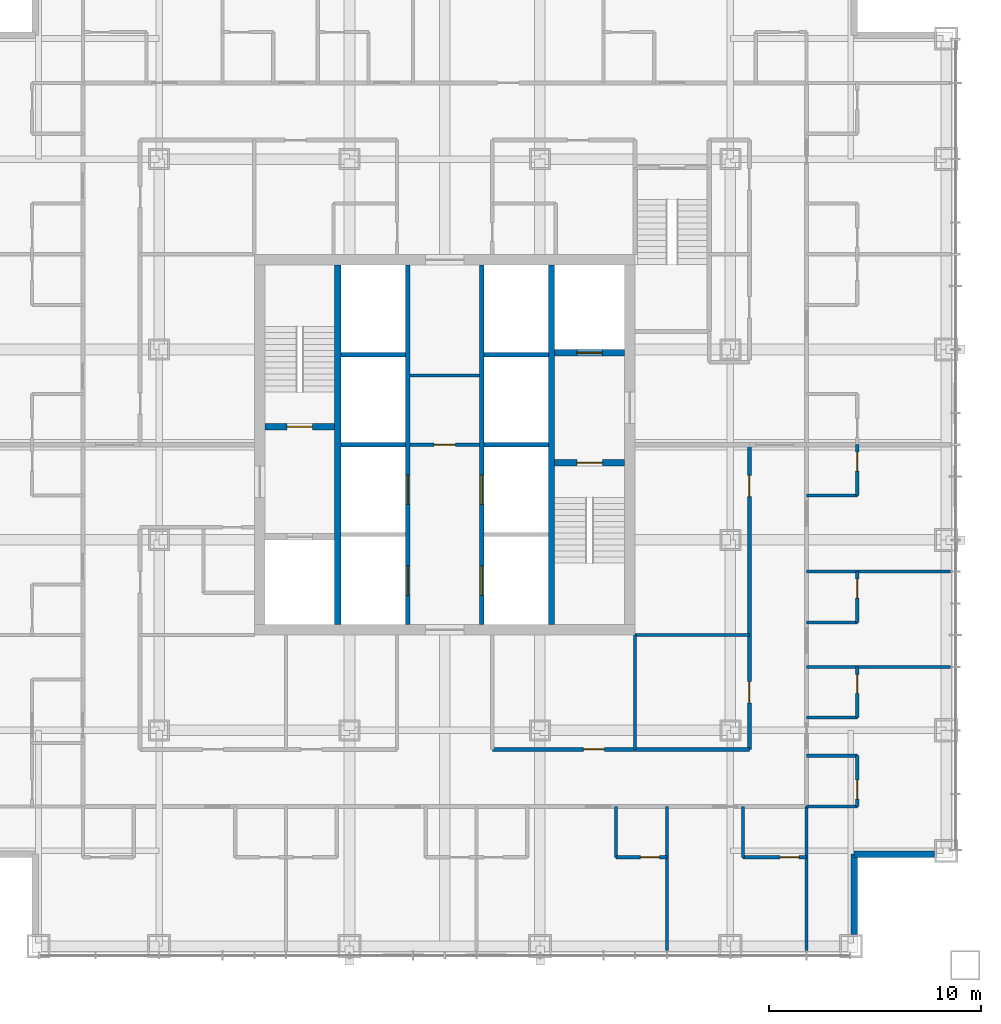
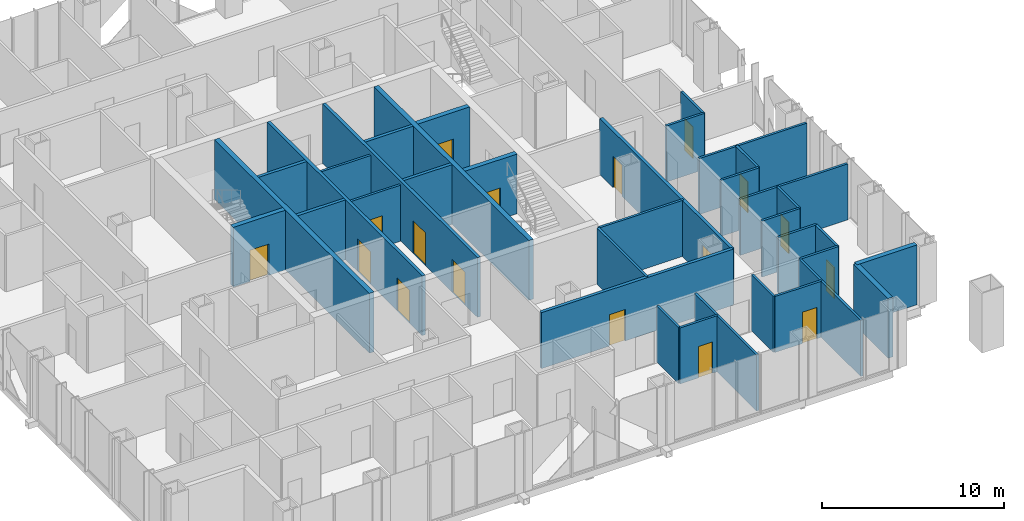
# One storey, part 10 of 16: 36 walls, 17 doors, 17 openings.
"""IFC4 building model written with IfcOpenShell, lengths in metres."""

from ifc_helpers import new_model, si_unit, direction, frame, frame_2d, origin, place, context, subcontext, project, spatial, rectangle, extrude, material, layer, layer_set, type_object, element, fill, save


model = new_model("IFC4")

# Units and contexts
model_context = context("Model", 3, precision=1e-05, world=origin(), true_north=direction((0.0, 1.0)))
body_context = subcontext(model_context, "Body", "Model", "MODEL_VIEW")
ifc_project = project(units=[si_unit("LENGTHUNIT", "METRE"), si_unit("AREAUNIT", "SQUARE_METRE"), si_unit("VOLUMEUNIT", "CUBIC_METRE"), si_unit("PLANEANGLEUNIT", "RADIAN"), si_unit("MASSUNIT", "GRAM", prefix="KILO")], contexts=[model_context])

# Site, building, storey
site_placement = place(None, origin())
site = spatial("IfcSite", under=ifc_project, at=site_placement, CompositionType="ELEMENT")
building_placement = place(site_placement, origin())
building = spatial("IfcBuilding", under=site, at=building_placement, Name="Malebo Sky Hospital", CompositionType="ELEMENT")
storey_placement = place(building_placement, frame((0.0, 0.0, 116.0)))
storey = spatial("IfcBuildingStorey", under=building, at=storey_placement, Name="L27", CompositionType="ELEMENT", Elevation=116.0)

# Wall, openings, doors
ifc_material_1 = material(Name="Concrete C80/95", Category="concrete")
ifc_layer_1 = layer(ifc_material_1, 0.199951171875)
ifc_layer_set_1 = layer_set([ifc_layer_1], Name="CORE INNER WALL 200")
wall_type_1 = type_object("IfcWallType", Name="CORE INNER WALL 200", PredefinedType="SHEAR", material=ifc_layer_set_1)
wall_1_placement = place(storey_placement, frame((58.25, 53.5, 0.0), z_axis=(0.0, 0.0, 1.0), x_axis=(0.0, 1.0, 0.0)))
wall_1 = element("IfcWall", 1, at=wall_1_placement, inside=storey, type_object=wall_type_1, Name="Core wall LW L27", PredefinedType="SHEAR", context=body_context, shape_type="SweptSolid", body=[
    extrude(rectangle(XDim=17.0, YDim=0.199951171875, at=frame_2d((8.5, 0.0))), origin(), (0.0, 0.0, 1.0), 4.0),
])
opening_1_placement = place(wall_1_placement, frame((1.375, 0.0, 0.0)))
opening_1 = element("IfcOpeningElement", 2, at=opening_1_placement, cuts=wall_1, Name="Opening LD1", PredefinedType="OPENING", context=body_context, shape_type="SweptSolid", body=[
    extrude(rectangle(XDim=1.39990234375, YDim=2.199951171875, at=frame_2d((0.699951171875, 1.10009765625))), frame((0.0, 0.10986328125, 0.0), z_axis=(0.0, -1.0, 0.0), x_axis=(1.0, 0.0, 0.0)), (0.0, 0.0, 1.0), 0.219970703125),
])
opening_2_placement = place(wall_1_placement, frame((5.675048828125, 0.0, 0.0)))
opening_2 = element("IfcOpeningElement", 3, at=opening_2_placement, cuts=wall_1, Name="Opening LD1", PredefinedType="OPENING", context=body_context, shape_type="SweptSolid", body=[
    extrude(rectangle(XDim=1.39990234375, YDim=2.199951171875, at=frame_2d((0.699951171875, 1.10009765625))), frame((0.0, 0.10986328125, 0.0), z_axis=(0.0, -1.0, 0.0), x_axis=(1.0, 0.0, 0.0)), (0.0, 0.0, 1.0), 0.219970703125),
])
ifc_material_2 = material(Name="Stainless steel sliding landing door", Category="steel")
door_type_1 = type_object("IfcDoorType", Name="LIFT LANDING DOOR 1400", OperationType="SLIDING_TO_LEFT", PredefinedType="DOOR", material=ifc_material_2)
door_1_placement = place(opening_1_placement, origin())
door_1 = element("IfcDoor", 4, at=door_1_placement, inside=storey, type_object=door_type_1, Name="Lift W1 landing door", OperationType="SLIDING_TO_LEFT", OverallHeight=2.199951171875, OverallWidth=1.39990234375, PredefinedType="DOOR", context=body_context, shape_type="SweptSolid", body=[
    extrude(rectangle(XDim=1.39990234375, YDim=2.199951171875, at=frame_2d((0.699951171875, 1.10009765625))), frame((0.0, 0.02490234375, 0.0), z_axis=(0.0, -1.0, 0.0), x_axis=(1.0, 0.0, 0.0)), (0.0, 0.0, 1.0), 0.050048828125),
])
fill(opening_1, door_1)
door_2_placement = place(opening_2_placement, origin())
door_2 = element("IfcDoor", 5, at=door_2_placement, inside=storey, type_object=door_type_1, Name="Lift W2 landing door", OperationType="SLIDING_TO_LEFT", OverallHeight=2.199951171875, OverallWidth=1.39990234375, PredefinedType="DOOR", context=body_context, shape_type="SweptSolid", body=[
    extrude(rectangle(XDim=1.39990234375, YDim=2.199951171875, at=frame_2d((0.699951171875, 1.10009765625))), frame((0.0, 0.02490234375, 0.0), z_axis=(0.0, -1.0, 0.0), x_axis=(1.0, 0.0, 0.0)), (0.0, 0.0, 1.0), 0.050048828125),
])
fill(opening_2, door_2)

wall_2_placement = place(storey_placement, frame((61.75, 53.5, 0.0), z_axis=(0.0, 0.0, 1.0), x_axis=(0.0, 1.0, 0.0)))
wall_2 = element("IfcWall", 6, at=wall_2_placement, inside=storey, type_object=wall_type_1, Name="Core wall LE L27", PredefinedType="SHEAR", context=body_context, shape_type="SweptSolid", body=[
    extrude(rectangle(XDim=17.0, YDim=0.199951171875, at=frame_2d((8.5, 0.0))), origin(), (0.0, 0.0, 1.0), 4.0),
])
opening_3_placement = place(wall_2_placement, frame((1.375, 0.0, 0.0)))
opening_3 = element("IfcOpeningElement", 7, at=opening_3_placement, cuts=wall_2, Name="Opening LD1", PredefinedType="OPENING", context=body_context, shape_type="SweptSolid", body=[
    extrude(rectangle(XDim=1.39990234375, YDim=2.199951171875, at=frame_2d((0.699951171875, 1.10009765625))), frame((0.0, 0.10986328125, 0.0), z_axis=(0.0, -1.0, 0.0), x_axis=(1.0, 0.0, 0.0)), (0.0, 0.0, 1.0), 0.219970703125),
])
opening_4_placement = place(wall_2_placement, frame((5.675048828125, 0.0, 0.0)))
opening_4 = element("IfcOpeningElement", 8, at=opening_4_placement, cuts=wall_2, Name="Opening LD1", PredefinedType="OPENING", context=body_context, shape_type="SweptSolid", body=[
    extrude(rectangle(XDim=1.39990234375, YDim=2.199951171875, at=frame_2d((0.699951171875, 1.10009765625))), frame((0.0, 0.10986328125, 0.0), z_axis=(0.0, -1.0, 0.0), x_axis=(1.0, 0.0, 0.0)), (0.0, 0.0, 1.0), 0.219970703125),
])
door_3_placement = place(opening_3_placement, origin())
door_3 = element("IfcDoor", 9, at=door_3_placement, inside=storey, type_object=door_type_1, Name="Lift E1 landing door", OperationType="SLIDING_TO_LEFT", OverallHeight=2.199951171875, OverallWidth=1.39990234375, PredefinedType="DOOR", context=body_context, shape_type="SweptSolid", body=[
    extrude(rectangle(XDim=1.39990234375, YDim=2.199951171875, at=frame_2d((0.699951171875, 1.10009765625))), frame((0.0, 0.02490234375, 0.0), z_axis=(0.0, -1.0, 0.0), x_axis=(1.0, 0.0, 0.0)), (0.0, 0.0, 1.0), 0.050048828125),
])
fill(opening_3, door_3)
door_4_placement = place(opening_4_placement, origin())
door_4 = element("IfcDoor", 10, at=door_4_placement, inside=storey, type_object=door_type_1, Name="Lift E2 landing door", OperationType="SLIDING_TO_LEFT", OverallHeight=2.199951171875, OverallWidth=1.39990234375, PredefinedType="DOOR", context=body_context, shape_type="SweptSolid", body=[
    extrude(rectangle(XDim=1.39990234375, YDim=2.199951171875, at=frame_2d((0.699951171875, 1.10009765625))), frame((0.0, 0.02490234375, 0.0), z_axis=(0.0, -1.0, 0.0), x_axis=(1.0, 0.0, 0.0)), (0.0, 0.0, 1.0), 0.050048828125),
])
fill(opening_4, door_4)

# Walls
for number, where, z_axis, x_axis, name in (
    (11, (55.10009765625, 62.0, 0.0), (0.0, 0.0, 1.0), (1.0, 0.0, 0.0), "Core wall SW1 L27"),
    (12, (61.85009765625, 62.0, 0.0), (0.0, 0.0, 1.0), (1.0, 0.0, 0.0), "Core wall SE1 L27"),
    (13, (55.10009765625, 66.25, 0.0), (0.0, 0.0, 1.0), (1.0, 0.0, 0.0), "Core wall SW2 L27"),
    (14, (61.85009765625, 66.25, 0.0), (0.0, 0.0, 1.0), (1.0, 0.0, 0.0), "Core wall SE2 L27"),
):
    element("IfcWall", number, at=place(storey_placement, frame(where, z_axis=z_axis, x_axis=x_axis)), inside=storey, type_object=wall_type_1, Name=name, PredefinedType="SHEAR", context=body_context, shape_type="SweptSolid", body=[
        extrude(rectangle(XDim=3.0498046875, YDim=0.199951171875, at=frame_2d((1.52490234375, 0.0))), origin(), (0.0, 0.0, 1.0), 4.0),
    ])
ifc_layer_2 = layer(ifc_material_1, 0.300048828125)
ifc_layer_set_2 = layer_set([ifc_layer_2], Name="CORE INNER WALL 300")
wall_type_2 = type_object("IfcWallType", Name="CORE INNER WALL 300", PredefinedType="SHEAR", material=ifc_layer_set_2)
for number, where, z_axis, x_axis, name in (
    (15, (54.949951171875, 53.5, 0.0), (0.0, 0.0, 1.0), (0.0, 1.0, 0.0), "Core wall XW L27"),
    (16, (65.050048828125, 53.5, 0.0), (0.0, 0.0, 1.0), (0.0, 1.0, 0.0), "Core wall XE L27"),
):
    element("IfcWall", number, at=place(storey_placement, frame(where, z_axis=z_axis, x_axis=x_axis)), inside=storey, type_object=wall_type_2, Name=name, PredefinedType="SHEAR", context=body_context, shape_type="SweptSolid", body=[
        extrude(rectangle(XDim=17.0, YDim=0.300048828125, at=frame_2d((8.5, 0.0))), origin(), (0.0, 0.0, 1.0), 4.0),
    ])

# Wall, opening, door
wall_3_placement = place(storey_placement, frame((51.5, 62.85009765625, 0.0), z_axis=(0.0, 0.0, 1.0), x_axis=(1.0, 0.0, 0.0)))
wall_3 = element("IfcWall", 17, at=wall_3_placement, inside=storey, type_object=wall_type_2, Name="Core wall W1 L27", PredefinedType="SHEAR", context=body_context, shape_type="SweptSolid", body=[
    extrude(rectangle(XDim=3.300048828125, YDim=0.300048828125, at=frame_2d((1.64990234375, 0.0))), origin(), (0.0, 0.0, 1.0), 4.0),
])
opening_5_placement = place(wall_3_placement, frame((1.050048828125, 0.0, 0.0)))
opening_5 = element("IfcOpeningElement", 18, at=opening_5_placement, cuts=wall_3, Name="Opening D08", PredefinedType="OPENING", context=body_context, shape_type="SweptSolid", body=[
    extrude(rectangle(XDim=1.199951171875, YDim=2.10009765625, at=frame_2d((0.60009765625, 1.050048828125))), frame((0.0, 0.159912109375, 0.0), z_axis=(0.0, -1.0, 0.0), x_axis=(1.0, 0.0, 0.0)), (0.0, 0.0, 1.0), 0.320068359375),
])
ifc_material_3 = material(Name="Hardwood-faced door leaf in steel frame", Category="steel")
door_type_2 = type_object("IfcDoorType", Name="STAIR DOOR 1200", OperationType="SINGLE_SWING_LEFT", PredefinedType="DOOR", material=ifc_material_3)
door_5_placement = place(opening_5_placement, origin())
door_5 = element("IfcDoor", 19, at=door_5_placement, inside=storey, type_object=door_type_2, Name="Stair S1 door", OperationType="SINGLE_SWING_LEFT", OverallHeight=2.10009765625, OverallWidth=1.199951171875, PredefinedType="DOOR", context=body_context, shape_type="SweptSolid", body=[
    extrude(rectangle(XDim=1.199951171875, YDim=2.10009765625, at=frame_2d((0.60009765625, 1.050048828125))), frame((0.0, 0.02490234375, 0.0), z_axis=(0.0, -1.0, 0.0), x_axis=(1.0, 0.0, 0.0)), (0.0, 0.0, 1.0), 0.050048828125),
])
fill(opening_5, door_5)

wall_4_placement = place(storey_placement, frame((65.199951171875, 61.14990234375, 0.0), z_axis=(0.0, 0.0, 1.0), x_axis=(1.0, 0.0, 0.0)))
wall_4 = element("IfcWall", 20, at=wall_4_placement, inside=storey, type_object=wall_type_2, Name="Core wall E1 L27", PredefinedType="SHEAR", context=body_context, shape_type="SweptSolid", body=[
    extrude(rectangle(XDim=3.300048828125, YDim=0.300048828125, at=frame_2d((1.64990234375, 0.0))), origin(), (0.0, 0.0, 1.0), 4.0),
])
opening_6_placement = place(wall_4_placement, frame((1.050048828125, 0.0, 0.0)))
opening_6 = element("IfcOpeningElement", 21, at=opening_6_placement, cuts=wall_4, Name="Opening D08", PredefinedType="OPENING", context=body_context, shape_type="SweptSolid", body=[
    extrude(rectangle(XDim=1.199951171875, YDim=2.10009765625, at=frame_2d((0.60009765625, 1.050048828125))), frame((0.0, 0.159912109375, 0.0), z_axis=(0.0, -1.0, 0.0), x_axis=(1.0, 0.0, 0.0)), (0.0, 0.0, 1.0), 0.320068359375),
])
door_6_placement = place(opening_6_placement, origin())
door_6 = element("IfcDoor", 22, at=door_6_placement, inside=storey, type_object=door_type_2, Name="Stair S2 door", OperationType="SINGLE_SWING_LEFT", OverallHeight=2.10009765625, OverallWidth=1.199951171875, PredefinedType="DOOR", context=body_context, shape_type="SweptSolid", body=[
    extrude(rectangle(XDim=1.199951171875, YDim=2.10009765625, at=frame_2d((0.60009765625, 1.050048828125))), frame((0.0, 0.02490234375, 0.0), z_axis=(0.0, -1.0, 0.0), x_axis=(1.0, 0.0, 0.0)), (0.0, 0.0, 1.0), 0.050048828125),
])
fill(opening_6, door_6)

wall_5_placement = place(storey_placement, frame((65.199951171875, 66.35009765625, 0.0), z_axis=(0.0, 0.0, 1.0), x_axis=(1.0, 0.0, 0.0)))
wall_5 = element("IfcWall", 23, at=wall_5_placement, inside=storey, type_object=wall_type_2, Name="Core wall E2 L27", PredefinedType="SHEAR", context=body_context, shape_type="SweptSolid", body=[
    extrude(rectangle(XDim=3.300048828125, YDim=0.300048828125, at=frame_2d((1.64990234375, 0.0))), origin(), (0.0, 0.0, 1.0), 4.0),
])
opening_7_placement = place(wall_5_placement, frame((1.050048828125, 0.0, 0.0)))
opening_7 = element("IfcOpeningElement", 24, at=opening_7_placement, cuts=wall_5, Name="Opening LD2", PredefinedType="OPENING", context=body_context, shape_type="SweptSolid", body=[
    extrude(rectangle(XDim=1.199951171875, YDim=2.199951171875, at=frame_2d((0.60009765625, 1.10009765625))), frame((0.0, 0.159912109375, 0.0), z_axis=(0.0, -1.0, 0.0), x_axis=(1.0, 0.0, 0.0)), (0.0, 0.0, 1.0), 0.320068359375),
])
door_type_3 = type_object("IfcDoorType", Name="FIRE-FIGHTING LIFT LANDING DOOR 1200", OperationType="SLIDING_TO_LEFT", PredefinedType="DOOR", material=ifc_material_2)
door_7_placement = place(opening_7_placement, origin())
door_7 = element("IfcDoor", 25, at=door_7_placement, inside=storey, type_object=door_type_3, Name="Lift FL2 landing door", OperationType="SLIDING_TO_LEFT", OverallHeight=2.199951171875, OverallWidth=1.199951171875, PredefinedType="DOOR", context=body_context, shape_type="SweptSolid", body=[
    extrude(rectangle(XDim=1.199951171875, YDim=2.199951171875, at=frame_2d((0.60009765625, 1.10009765625))), frame((0.0, 0.02490234375, 0.0), z_axis=(0.0, -1.0, 0.0), x_axis=(1.0, 0.0, 0.0)), (0.0, 0.0, 1.0), 0.050048828125),
])
fill(opening_7, door_7)

ifc_material_4 = material(Name="Gypsum board on steel studs", Category="steel")
ifc_layer_3 = layer(ifc_material_4, 0.199951171875)
ifc_layer_set_3 = layer_set([ifc_layer_3], Name="CORRIDOR WALL 200")
wall_type_3 = type_object("IfcWallType", Name="CORRIDOR WALL 200", PredefinedType="PARTITIONING", material=ifc_layer_set_3)
wall_6_placement = place(storey_placement, frame((74.39990234375, 47.60009765625, 0.0), z_axis=(0.0, 0.0, 1.0), x_axis=(-1.0, 0.0, 0.0)))
wall_6 = element("IfcWall", 26, at=wall_6_placement, inside=storey, type_object=wall_type_3, Name="Corridor Wall 200 SCI1", PredefinedType="PARTITIONING", context=body_context, shape_type="SweptSolid", body=[
    extrude(rectangle(XDim=12.14990234375, YDim=0.199951171875, at=frame_2d((6.074951171875, 0.0))), origin(), (0.0, 0.0, 1.0), 3.75),
])
opening_8_placement = place(wall_6_placement, frame((6.85009765625, 0.0, 0.0)))
opening_8 = element("IfcOpeningElement", 27, at=opening_8_placement, cuts=wall_6, Name="Opening D03", PredefinedType="OPENING", context=body_context, shape_type="SweptSolid", body=[
    extrude(rectangle(XDim=1.0, YDim=2.10009765625, at=frame_2d((0.5, 1.050048828125))), frame((0.0, 0.10986328125, 0.0), z_axis=(0.0, -1.0, 0.0), x_axis=(1.0, 0.0, 0.0)), (0.0, 0.0, 1.0), 0.219970703125),
])
door_type_4 = type_object("IfcDoorType", Name="ROOM DOOR 1000", OperationType="SINGLE_SWING_LEFT", PredefinedType="DOOR", material=ifc_material_3)
door_8_placement = place(opening_8_placement, origin())
door_8 = element("IfcDoor", 28, at=door_8_placement, inside=storey, type_object=door_type_4, Name="Ward pantry door", OperationType="SINGLE_SWING_LEFT", OverallHeight=2.10009765625, OverallWidth=1.0, PredefinedType="DOOR", context=body_context, shape_type="SweptSolid", body=[
    extrude(rectangle(XDim=1.0, YDim=2.10009765625, at=frame_2d((0.5, 1.050048828125))), frame((0.0, 0.02490234375, 0.0), z_axis=(0.0, -1.0, 0.0), x_axis=(1.0, 0.0, 0.0)), (0.0, 0.0, 1.0), 0.050048828125),
])
fill(opening_8, door_8)

# Wall, openings, doors
wall_7_placement = place(storey_placement, frame((74.39990234375, 62.0, 0.0), z_axis=(0.0, 0.0, 1.0), x_axis=(0.0, -1.0, 0.0)))
wall_7 = element("IfcWall", 29, at=wall_7_placement, inside=storey, type_object=wall_type_3, Name="Corridor Wall 200 ECI2", PredefinedType="PARTITIONING", context=body_context, shape_type="SweptSolid", body=[
    extrude(rectangle(XDim=14.39990234375, YDim=0.199951171875, at=frame_2d((7.199951171875, 0.0))), origin(), (0.0, 0.0, 1.0), 3.75),
])
opening_9_placement = place(wall_7_placement, frame((1.449951171875, 0.0, 0.0)))
opening_9 = element("IfcOpeningElement", 30, at=opening_9_placement, cuts=wall_7, Name="Opening D03", PredefinedType="OPENING", context=body_context, shape_type="SweptSolid", body=[
    extrude(rectangle(XDim=1.0, YDim=2.10009765625, at=frame_2d((0.5, 1.050048828125))), frame((0.0, 0.10986328125, 0.0), z_axis=(0.0, -1.0, 0.0), x_axis=(1.0, 0.0, 0.0)), (0.0, 0.0, 1.0), 0.219970703125),
])
opening_10_placement = place(wall_7_placement, frame((11.199951171875, 0.0, 0.0)))
opening_10 = element("IfcOpeningElement", 31, at=opening_10_placement, cuts=wall_7, Name="Opening D03", PredefinedType="OPENING", context=body_context, shape_type="SweptSolid", body=[
    extrude(rectangle(XDim=1.0, YDim=2.10009765625, at=frame_2d((0.5, 1.050048828125))), frame((0.0, 0.10986328125, 0.0), z_axis=(0.0, -1.0, 0.0), x_axis=(1.0, 0.0, 0.0)), (0.0, 0.0, 1.0), 0.219970703125),
])
door_9_placement = place(opening_9_placement, origin())
door_9 = element("IfcDoor", 32, at=door_9_placement, inside=storey, type_object=door_type_4, Name="Staff rest room door", OperationType="SINGLE_SWING_LEFT", OverallHeight=2.10009765625, OverallWidth=1.0, PredefinedType="DOOR", context=body_context, shape_type="SweptSolid", body=[
    extrude(rectangle(XDim=1.0, YDim=2.10009765625, at=frame_2d((0.5, 1.050048828125))), frame((0.0, 0.02490234375, 0.0), z_axis=(0.0, -1.0, 0.0), x_axis=(1.0, 0.0, 0.0)), (0.0, 0.0, 1.0), 0.050048828125),
])
fill(opening_9, door_9)
door_10_placement = place(opening_10_placement, origin())
door_10 = element("IfcDoor", 33, at=door_10_placement, inside=storey, type_object=door_type_4, Name="Dirty utility room door", OperationType="SINGLE_SWING_RIGHT", OverallHeight=2.10009765625, OverallWidth=1.0, PredefinedType="DOOR", context=body_context, shape_type="SweptSolid", body=[
    extrude(rectangle(XDim=1.0, YDim=2.10009765625, at=frame_2d((0.5, 1.050048828125))), frame((0.0, 0.02490234375, 0.0), z_axis=(0.0, -1.0, 0.0), x_axis=(1.0, 0.0, 0.0)), (0.0, 0.0, 1.0), 0.050048828125),
])
fill(opening_10, door_10)

# Walls
ifc_material_5 = material(Name="Anodised aluminium rainscreen on steel framing", Category="steel")
ifc_layer_4 = layer(ifc_material_5, 0.300048828125)
ifc_layer_set_4 = layer_set([ifc_layer_4], Name="NOTCH RAINSCREEN WALL 300")
wall_type_4 = type_object("IfcWallType", Name="NOTCH RAINSCREEN WALL 300", PredefinedType="ELEMENTEDWALL", material=ifc_layer_set_4)
for number, where, z_axis, x_axis, name in (
    (34, (83.14990234375, 42.64990234375, 0.0), (0.0, 0.0, 1.0), (-1.0, 0.0, 0.0), "Notch rainscreen wall E1 L27"),
    (35, (79.35009765625, 42.64990234375, 0.0), (0.0, 0.0, 1.0), (0.0, -1.0, 0.0), "Notch rainscreen wall E2 L27"),
):
    element("IfcWall", number, at=place(storey_placement, frame(where, z_axis=z_axis, x_axis=x_axis)), inside=storey, type_object=wall_type_4, Name=name, PredefinedType="ELEMENTEDWALL", context=body_context, shape_type="SweptSolid", body=[
        extrude(rectangle(XDim=3.7998046875, YDim=0.300048828125, at=frame_2d((1.89990234375, 0.0))), origin(), (0.0, 0.0, 1.0), 4.0),
    ])
ifc_layer_5 = layer(ifc_material_4, 0.14990234375)
ifc_layer_set_5 = layer_set([ifc_layer_5], Name="PARTITION 150")
wall_type_5 = type_object("IfcWallType", Name="PARTITION 150", PredefinedType="PARTITIONING", material=ifc_layer_set_5)
for number, where, z_axis, x_axis, name in (
    (36, (70.5, 44.89990234375, 0.0), (0.0, 0.0, 1.0), (0.0, -1.0, 0.0), "Partition 150 SP-10.5"),
    (37, (77.10009765625, 44.89990234375, 0.0), (0.0, 0.0, 1.0), (0.0, -1.0, 0.0), "Partition 150 SP0"),
):
    element("IfcWall", number, at=place(storey_placement, frame(where, z_axis=z_axis, x_axis=x_axis)), inside=storey, type_object=wall_type_5, Name=name, PredefinedType="PARTITIONING", context=body_context, shape_type="SweptSolid", body=[
        extrude(rectangle(XDim=6.809814453125, YDim=0.14990234375, at=frame_2d((3.40478515625, 0.0))), origin(), (0.0, 0.0, 1.0), 3.75),
    ])

# Wall, opening, door
wall_8_placement = place(storey_placement, frame((77.10009765625, 42.5, 0.0), z_axis=(0.0, 0.0, 1.0), x_axis=(-1.0, 0.0, 0.0)))
wall_8 = element("IfcWall", 38, at=wall_8_placement, inside=storey, type_object=wall_type_5, Name="Partition 150 SE0F", PredefinedType="PARTITIONING", context=body_context, shape_type="SweptSolid", body=[
    extrude(rectangle(XDim=3.0, YDim=0.14990234375, at=frame_2d((1.5, 0.0))), origin(), (0.0, 0.0, 1.0), 3.75),
])
opening_11_placement = place(wall_8_placement, frame((0.35009765625, 0.0, 0.0)))
opening_11 = element("IfcOpeningElement", 39, at=opening_11_placement, cuts=wall_8, Name="Opening D02", PredefinedType="OPENING", context=body_context, shape_type="SweptSolid", body=[
    extrude(rectangle(XDim=0.89990234375, YDim=2.10009765625, at=frame_2d((0.449951171875, 1.050048828125))), frame((0.0, 0.0849609375, 0.0), z_axis=(0.0, -1.0, 0.0), x_axis=(1.0, 0.0, 0.0)), (0.0, 0.0, 1.0), 0.169921875),
])
door_type_5 = type_object("IfcDoorType", Name="EN-SUITE DOOR 900", OperationType="SINGLE_SWING_LEFT", PredefinedType="DOOR", material=ifc_material_3)
door_11_placement = place(opening_11_placement, origin())
door_11 = element("IfcDoor", 40, at=door_11_placement, inside=storey, type_object=door_type_5, Name="En-suite door", OperationType="SINGLE_SWING_LEFT", OverallHeight=2.10009765625, OverallWidth=0.89990234375, PredefinedType="DOOR", context=body_context, shape_type="SweptSolid", body=[
    extrude(rectangle(XDim=0.89990234375, YDim=2.10009765625, at=frame_2d((0.449951171875, 1.050048828125))), frame((0.0, 0.02490234375, 0.0), z_axis=(0.0, -1.0, 0.0), x_axis=(1.0, 0.0, 0.0)), (0.0, 0.0, 1.0), 0.050048828125),
])
fill(opening_11, door_11)

# Wall
wall_9_placement = place(storey_placement, frame((74.10009765625, 44.89990234375, 0.0), z_axis=(0.0, 0.0, 1.0), x_axis=(0.0, -1.0, 0.0)))
element("IfcWall", 41, at=wall_9_placement, inside=storey, type_object=wall_type_5, Name="Partition 150 SE0S", PredefinedType="PARTITIONING", context=body_context, shape_type="SweptSolid", body=[
    extrude(rectangle(XDim=2.39990234375, YDim=0.14990234375, at=frame_2d((1.199951171875, 0.0))), origin(), (0.0, 0.0, 1.0), 3.75),
])

# Wall, opening, door
wall_10_placement = place(storey_placement, frame((70.5, 42.5, 0.0), z_axis=(0.0, 0.0, 1.0), x_axis=(-1.0, 0.0, 0.0)))
wall_10 = element("IfcWall", 42, at=wall_10_placement, inside=storey, type_object=wall_type_5, Name="Partition 150 SE1F", PredefinedType="PARTITIONING", context=body_context, shape_type="SweptSolid", body=[
    extrude(rectangle(XDim=2.39990234375, YDim=0.14990234375, at=frame_2d((1.199951171875, 0.0))), origin(), (0.0, 0.0, 1.0), 3.75),
])
opening_12_placement = place(wall_10_placement, frame((0.35009765625, 0.0, 0.0)))
opening_12 = element("IfcOpeningElement", 43, at=opening_12_placement, cuts=wall_10, Name="Opening D02", PredefinedType="OPENING", context=body_context, shape_type="SweptSolid", body=[
    extrude(rectangle(XDim=0.89990234375, YDim=2.10009765625, at=frame_2d((0.449951171875, 1.050048828125))), frame((0.0, 0.0849609375, 0.0), z_axis=(0.0, -1.0, 0.0), x_axis=(1.0, 0.0, 0.0)), (0.0, 0.0, 1.0), 0.169921875),
])
door_12_placement = place(opening_12_placement, origin())
door_12 = element("IfcDoor", 44, at=door_12_placement, inside=storey, type_object=door_type_5, Name="En-suite door", OperationType="SINGLE_SWING_LEFT", OverallHeight=2.10009765625, OverallWidth=0.89990234375, PredefinedType="DOOR", context=body_context, shape_type="SweptSolid", body=[
    extrude(rectangle(XDim=0.89990234375, YDim=2.10009765625, at=frame_2d((0.449951171875, 1.050048828125))), frame((0.0, 0.02490234375, 0.0), z_axis=(0.0, -1.0, 0.0), x_axis=(1.0, 0.0, 0.0)), (0.0, 0.0, 1.0), 0.050048828125),
])
fill(opening_12, door_12)

# Walls
wall_11_placement = place(storey_placement, frame((68.10009765625, 44.89990234375, 0.0), z_axis=(0.0, 0.0, 1.0), x_axis=(0.0, -1.0, 0.0)))
element("IfcWall", 45, at=wall_11_placement, inside=storey, type_object=wall_type_5, Name="Partition 150 SE1S", PredefinedType="PARTITIONING", context=body_context, shape_type="SweptSolid", body=[
    extrude(rectangle(XDim=2.39990234375, YDim=0.14990234375, at=frame_2d((1.199951171875, 0.0))), origin(), (0.0, 0.0, 1.0), 3.75),
])
wall_12_placement = place(storey_placement, frame((69.0, 53.0, 0.0), z_axis=(0.0, 0.0, 1.0), x_axis=(0.0, -1.0, 0.0)))
element("IfcWall", 46, at=wall_12_placement, inside=storey, type_object=wall_type_5, Name="Partition 150 SSP0", PredefinedType="PARTITIONING", context=body_context, shape_type="SweptSolid", body=[
    extrude(rectangle(XDim=5.39990234375, YDim=0.14990234375, at=frame_2d((2.699951171875, 0.0))), origin(), (0.0, 0.0, 1.0), 3.75),
])
for number, where, z_axis, x_axis, name in (
    (47, (77.10009765625, 56.0, 0.0), (0.0, 0.0, 1.0), (1.0, 0.0, 0.0), "Partition 150 EP+6.0"),
    (48, (77.10009765625, 51.5, 0.0), (0.0, 0.0, 1.0), (1.0, 0.0, 0.0), "Partition 150 EP+10.5"),
):
    element("IfcWall", number, at=place(storey_placement, frame(where, z_axis=z_axis, x_axis=x_axis)), inside=storey, type_object=wall_type_5, Name=name, PredefinedType="PARTITIONING", context=body_context, shape_type="SweptSolid", body=[
        extrude(rectangle(XDim=6.809814453125, YDim=0.14990234375, at=frame_2d((3.40478515625, 0.0))), origin(), (0.0, 0.0, 1.0), 3.75),
    ])

# Wall, opening, door
wall_13_placement = place(storey_placement, frame((79.5, 62.0, 0.0), z_axis=(0.0, 0.0, 1.0), x_axis=(0.0, -1.0, 0.0)))
wall_13 = element("IfcWall", 49, at=wall_13_placement, inside=storey, type_object=wall_type_5, Name="Partition 150 EE2F", PredefinedType="PARTITIONING", context=body_context, shape_type="SweptSolid", body=[
    extrude(rectangle(XDim=2.39990234375, YDim=0.14990234375, at=frame_2d((1.199951171875, 0.0))), origin(), (0.0, 0.0, 1.0), 3.75),
])
opening_13_placement = place(wall_13_placement, frame((0.35009765625, 0.0, 0.0)))
opening_13 = element("IfcOpeningElement", 50, at=opening_13_placement, cuts=wall_13, Name="Opening D02", PredefinedType="OPENING", context=body_context, shape_type="SweptSolid", body=[
    extrude(rectangle(XDim=0.89990234375, YDim=2.10009765625, at=frame_2d((0.449951171875, 1.050048828125))), frame((0.0, 0.0849609375, 0.0), z_axis=(0.0, -1.0, 0.0), x_axis=(1.0, 0.0, 0.0)), (0.0, 0.0, 1.0), 0.169921875),
])
door_13_placement = place(opening_13_placement, origin())
door_13 = element("IfcDoor", 51, at=door_13_placement, inside=storey, type_object=door_type_5, Name="En-suite door", OperationType="SINGLE_SWING_LEFT", OverallHeight=2.10009765625, OverallWidth=0.89990234375, PredefinedType="DOOR", context=body_context, shape_type="SweptSolid", body=[
    extrude(rectangle(XDim=0.89990234375, YDim=2.10009765625, at=frame_2d((0.449951171875, 1.050048828125))), frame((0.0, 0.02490234375, 0.0), z_axis=(0.0, -1.0, 0.0), x_axis=(1.0, 0.0, 0.0)), (0.0, 0.0, 1.0), 0.050048828125),
])
fill(opening_13, door_13)

# Wall
wall_14_placement = place(storey_placement, frame((77.10009765625, 59.60009765625, 0.0), z_axis=(0.0, 0.0, 1.0), x_axis=(1.0, 0.0, 0.0)))
element("IfcWall", 52, at=wall_14_placement, inside=storey, type_object=wall_type_5, Name="Partition 150 EE2S", PredefinedType="PARTITIONING", context=body_context, shape_type="SweptSolid", body=[
    extrude(rectangle(XDim=2.39990234375, YDim=0.14990234375, at=frame_2d((1.199951171875, 0.0))), origin(), (0.0, 0.0, 1.0), 3.75),
])

# Wall, opening, door
wall_15_placement = place(storey_placement, frame((79.5, 56.0, 0.0), z_axis=(0.0, 0.0, 1.0), x_axis=(0.0, -1.0, 0.0)))
wall_15 = element("IfcWall", 53, at=wall_15_placement, inside=storey, type_object=wall_type_5, Name="Partition 150 EE3F", PredefinedType="PARTITIONING", context=body_context, shape_type="SweptSolid", body=[
    extrude(rectangle(XDim=2.39990234375, YDim=0.14990234375, at=frame_2d((1.199951171875, 0.0))), origin(), (0.0, 0.0, 1.0), 3.75),
])
opening_14_placement = place(wall_15_placement, frame((0.35009765625, 0.0, 0.0)))
opening_14 = element("IfcOpeningElement", 54, at=opening_14_placement, cuts=wall_15, Name="Opening D02", PredefinedType="OPENING", context=body_context, shape_type="SweptSolid", body=[
    extrude(rectangle(XDim=0.89990234375, YDim=2.10009765625, at=frame_2d((0.449951171875, 1.050048828125))), frame((0.0, 0.0849609375, 0.0), z_axis=(0.0, -1.0, 0.0), x_axis=(1.0, 0.0, 0.0)), (0.0, 0.0, 1.0), 0.169921875),
])
door_14_placement = place(opening_14_placement, origin())
door_14 = element("IfcDoor", 55, at=door_14_placement, inside=storey, type_object=door_type_5, Name="En-suite door", OperationType="SINGLE_SWING_LEFT", OverallHeight=2.10009765625, OverallWidth=0.89990234375, PredefinedType="DOOR", context=body_context, shape_type="SweptSolid", body=[
    extrude(rectangle(XDim=0.89990234375, YDim=2.10009765625, at=frame_2d((0.449951171875, 1.050048828125))), frame((0.0, 0.02490234375, 0.0), z_axis=(0.0, -1.0, 0.0), x_axis=(1.0, 0.0, 0.0)), (0.0, 0.0, 1.0), 0.050048828125),
])
fill(opening_14, door_14)

# Wall
wall_16_placement = place(storey_placement, frame((77.10009765625, 53.60009765625, 0.0), z_axis=(0.0, 0.0, 1.0), x_axis=(1.0, 0.0, 0.0)))
element("IfcWall", 56, at=wall_16_placement, inside=storey, type_object=wall_type_5, Name="Partition 150 EE3S", PredefinedType="PARTITIONING", context=body_context, shape_type="SweptSolid", body=[
    extrude(rectangle(XDim=2.39990234375, YDim=0.14990234375, at=frame_2d((1.199951171875, 0.0))), origin(), (0.0, 0.0, 1.0), 3.75),
])

# Wall, opening, door
wall_17_placement = place(storey_placement, frame((79.5, 51.5, 0.0), z_axis=(0.0, 0.0, 1.0), x_axis=(0.0, -1.0, 0.0)))
wall_17 = element("IfcWall", 57, at=wall_17_placement, inside=storey, type_object=wall_type_5, Name="Partition 150 EE4F", PredefinedType="PARTITIONING", context=body_context, shape_type="SweptSolid", body=[
    extrude(rectangle(XDim=2.39990234375, YDim=0.14990234375, at=frame_2d((1.199951171875, 0.0))), origin(), (0.0, 0.0, 1.0), 3.75),
])
opening_15_placement = place(wall_17_placement, frame((0.35009765625, 0.0, 0.0)))
opening_15 = element("IfcOpeningElement", 58, at=opening_15_placement, cuts=wall_17, Name="Opening D02", PredefinedType="OPENING", context=body_context, shape_type="SweptSolid", body=[
    extrude(rectangle(XDim=0.89990234375, YDim=2.10009765625, at=frame_2d((0.449951171875, 1.050048828125))), frame((0.0, 0.0849609375, 0.0), z_axis=(0.0, -1.0, 0.0), x_axis=(1.0, 0.0, 0.0)), (0.0, 0.0, 1.0), 0.169921875),
])
door_15_placement = place(opening_15_placement, origin())
door_15 = element("IfcDoor", 59, at=door_15_placement, inside=storey, type_object=door_type_5, Name="En-suite door", OperationType="SINGLE_SWING_LEFT", OverallHeight=2.10009765625, OverallWidth=0.89990234375, PredefinedType="DOOR", context=body_context, shape_type="SweptSolid", body=[
    extrude(rectangle(XDim=0.89990234375, YDim=2.10009765625, at=frame_2d((0.449951171875, 1.050048828125))), frame((0.0, 0.02490234375, 0.0), z_axis=(0.0, -1.0, 0.0), x_axis=(1.0, 0.0, 0.0)), (0.0, 0.0, 1.0), 0.050048828125),
])
fill(opening_15, door_15)

# Wall
wall_18_placement = place(storey_placement, frame((77.10009765625, 49.10009765625, 0.0), z_axis=(0.0, 0.0, 1.0), x_axis=(1.0, 0.0, 0.0)))
element("IfcWall", 60, at=wall_18_placement, inside=storey, type_object=wall_type_5, Name="Partition 150 EE4S", PredefinedType="PARTITIONING", context=body_context, shape_type="SweptSolid", body=[
    extrude(rectangle(XDim=2.39990234375, YDim=0.14990234375, at=frame_2d((1.199951171875, 0.0))), origin(), (0.0, 0.0, 1.0), 3.75),
])

# Wall, opening, door
wall_19_placement = place(storey_placement, frame((79.5, 47.300048828125, 0.0), z_axis=(0.0, 0.0, 1.0), x_axis=(0.0, -1.0, 0.0)))
wall_19 = element("IfcWall", 61, at=wall_19_placement, inside=storey, type_object=wall_type_5, Name="Partition 150 EG4F", PredefinedType="PARTITIONING", context=body_context, shape_type="SweptSolid", body=[
    extrude(rectangle(XDim=2.400146484375, YDim=0.14990234375, at=frame_2d((1.2001953125, 0.0))), origin(), (0.0, 0.0, 1.0), 3.75),
])
opening_16_placement = place(wall_19_placement, frame((1.14990234375, 0.0, 0.0)))
opening_16 = element("IfcOpeningElement", 62, at=opening_16_placement, cuts=wall_19, Name="Opening D02", PredefinedType="OPENING", context=body_context, shape_type="SweptSolid", body=[
    extrude(rectangle(XDim=0.89990234375, YDim=2.10009765625, at=frame_2d((0.449951171875, 1.050048828125))), frame((0.0, 0.0849609375, 0.0), z_axis=(0.0, -1.0, 0.0), x_axis=(1.0, 0.0, 0.0)), (0.0, 0.0, 1.0), 0.169921875),
])
door_16_placement = place(opening_16_placement, origin())
door_16 = element("IfcDoor", 63, at=door_16_placement, inside=storey, type_object=door_type_5, Name="En-suite door", OperationType="SINGLE_SWING_RIGHT", OverallHeight=2.10009765625, OverallWidth=0.89990234375, PredefinedType="DOOR", context=body_context, shape_type="SweptSolid", body=[
    extrude(rectangle(XDim=0.89990234375, YDim=2.10009765625, at=frame_2d((0.449951171875, 1.050048828125))), frame((0.0, 0.02490234375, 0.0), z_axis=(0.0, -1.0, 0.0), x_axis=(1.0, 0.0, 0.0)), (0.0, 0.0, 1.0), 0.050048828125),
])
fill(opening_16, door_16)

# Walls
for number, where, z_axis, x_axis, name in (
    (64, (77.10009765625, 47.300048828125, 0.0), (0.0, 0.0, 1.0), (1.0, 0.0, 0.0), "Partition 150 EG4S"),
    (65, (77.10009765625, 44.89990234375, 0.0), (0.0, 0.0, 1.0), (1.0, 0.0, 0.0), "Partition 150 EEZ"),
):
    element("IfcWall", number, at=place(storey_placement, frame(where, z_axis=z_axis, x_axis=x_axis)), inside=storey, type_object=wall_type_5, Name=name, PredefinedType="PARTITIONING", context=body_context, shape_type="SweptSolid", body=[
        extrude(rectangle(XDim=2.39990234375, YDim=0.14990234375, at=frame_2d((1.199951171875, 0.0))), origin(), (0.0, 0.0, 1.0), 3.75),
    ])
wall_20_placement = place(storey_placement, frame((69.0, 53.0, 0.0), z_axis=(0.0, 0.0, 1.0), x_axis=(1.0, 0.0, 0.0)))
element("IfcWall", 66, at=wall_20_placement, inside=storey, type_object=wall_type_5, Name="Partition 150 ESP+9.0", PredefinedType="PARTITIONING", context=body_context, shape_type="SweptSolid", body=[
    extrude(rectangle(XDim=5.39990234375, YDim=0.14990234375, at=frame_2d((2.699951171875, 0.0))), origin(), (0.0, 0.0, 1.0), 3.75),
])

# Wall, opening, door
wall_21_placement = place(storey_placement, frame((58.35009765625, 62.0, 0.0), z_axis=(0.0, 0.0, 1.0), x_axis=(1.0, 0.0, 0.0)))
wall_21 = element("IfcWall", 67, at=wall_21_placement, inside=storey, type_object=wall_type_5, Name="Partition 150 LBN", PredefinedType="PARTITIONING", context=body_context, shape_type="SweptSolid", body=[
    extrude(rectangle(XDim=3.2998046875, YDim=0.14990234375, at=frame_2d((1.64990234375, 0.0))), origin(), (0.0, 0.0, 1.0), 3.75),
])
opening_17_placement = place(wall_21_placement, frame((1.14990234375, 0.0, 0.0)))
opening_17 = element("IfcOpeningElement", 68, at=opening_17_placement, cuts=wall_21, Name="Opening D03", PredefinedType="OPENING", context=body_context, shape_type="SweptSolid", body=[
    extrude(rectangle(XDim=1.0, YDim=2.10009765625, at=frame_2d((0.5, 1.050048828125))), frame((0.0, 0.0849609375, 0.0), z_axis=(0.0, -1.0, 0.0), x_axis=(1.0, 0.0, 0.0)), (0.0, 0.0, 1.0), 0.169921875),
])
door_17_placement = place(opening_17_placement, origin())
door_17 = element("IfcDoor", 69, at=door_17_placement, inside=storey, type_object=door_type_4, Name="Equipment store door", OperationType="SINGLE_SWING_LEFT", OverallHeight=2.10009765625, OverallWidth=1.0, PredefinedType="DOOR", context=body_context, shape_type="SweptSolid", body=[
    extrude(rectangle(XDim=1.0, YDim=2.10009765625, at=frame_2d((0.5, 1.050048828125))), frame((0.0, 0.02490234375, 0.0), z_axis=(0.0, -1.0, 0.0), x_axis=(1.0, 0.0, 0.0)), (0.0, 0.0, 1.0), 0.050048828125),
])
fill(opening_17, door_17)

# Wall
wall_22_placement = place(storey_placement, frame((58.35009765625, 65.276611328125, 0.0), z_axis=(0.0, 0.0, 1.0), x_axis=(1.0, 0.0, 0.0)))
element("IfcWall", 70, at=wall_22_placement, inside=storey, type_object=wall_type_5, Name="Partition 150 LBN1", PredefinedType="PARTITIONING", context=body_context, shape_type="SweptSolid", body=[
    extrude(rectangle(XDim=3.2998046875, YDim=0.14990234375, at=frame_2d((1.64990234375, 0.0))), origin(), (0.0, 0.0, 1.0), 3.75),
])

save(model, "model.ifc")
